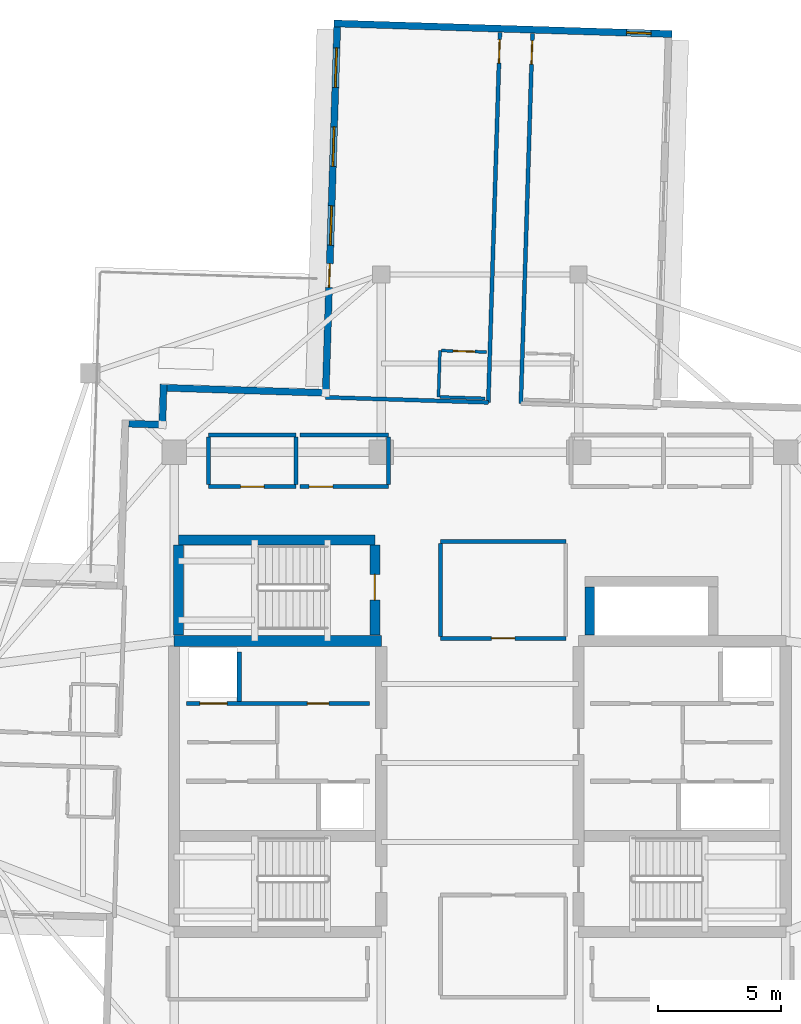
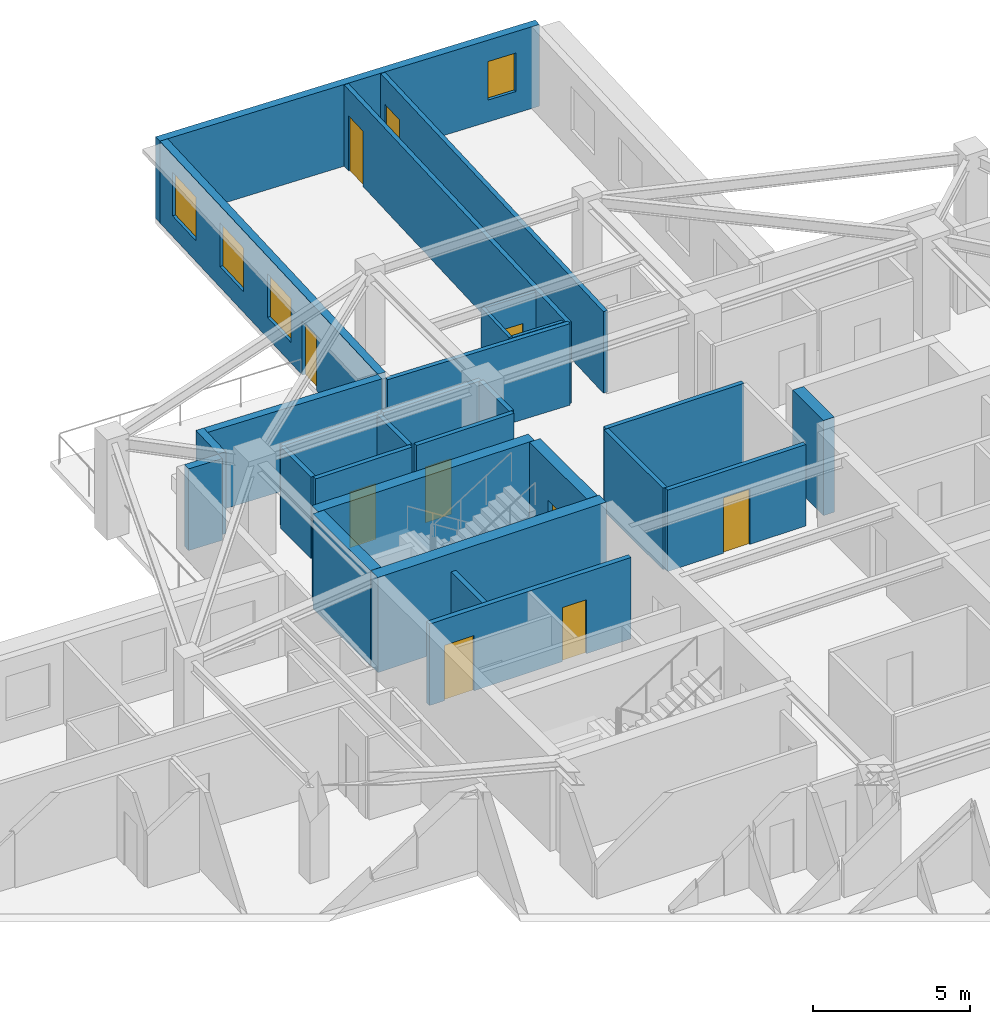
# One storey, part 7 of 13: 28 walls, 10 doors, 4 windows, 14 openings.
"""IFC4 building model written with IfcOpenShell, lengths in metres."""

from ifc_helpers import new_model, si_unit, direction, frame, frame_2d, origin, place, context, subcontext, project, spatial, rectangle, extrude, material, layer, layer_set, type_object, element, fill, save


model = new_model("IFC4")

# Units and contexts
model_context = context("Model", 3, precision=1e-05, world=origin(), true_north=direction((0.0, 1.0)))
body_context = subcontext(model_context, "Body", "Model", "MODEL_VIEW")
ifc_project = project(units=[si_unit("LENGTHUNIT", "METRE"), si_unit("AREAUNIT", "SQUARE_METRE"), si_unit("VOLUMEUNIT", "CUBIC_METRE"), si_unit("PLANEANGLEUNIT", "RADIAN"), si_unit("MASSUNIT", "GRAM", prefix="KILO")], contexts=[model_context])

# Site, building, storey
site_placement = place(None, origin())
site = spatial("IfcSite", under=ifc_project, at=site_placement, CompositionType="ELEMENT")
building_placement = place(site_placement, origin())
building = spatial("IfcBuilding", under=site, at=building_placement, Name="Qingluan Cross Belvedere", CompositionType="ELEMENT")
storey_placement = place(building_placement, frame((0.0, 0.0, 257.699951171875)))
storey = spatial("IfcBuildingStorey", under=building, at=storey_placement, Name="L64", CompositionType="ELEMENT", Elevation=257.699951171875)

# Walls
ifc_material_1 = material(Name="Concrete C50", Category="concrete")
ifc_layer_1 = layer(ifc_material_1, 0.449951171875, Name="CoreShearWall_450")
ifc_layer_set_1 = layer_set([ifc_layer_1], Name="Concrete C50")
wall_type_1 = type_object("IfcWallType", Name="CoreShearWall_450", PredefinedType="SHEAR", material=ifc_layer_set_1)
wall_1_placement = place(storey_placement, frame((-12.39990234375, 4.949951171875, 0.0), z_axis=(0.0, 0.0, 1.0), x_axis=(1.0, 0.0, 0.0)))
element("IfcWall", 1, at=wall_1_placement, inside=storey, type_object=wall_type_1, Name="Split core W shear wall L64-N", PredefinedType="SHEAR", context=body_context, shape_type="SweptSolid", body=[
    extrude(rectangle(XDim=8.39990234375, YDim=0.449951171875, at=frame_2d((4.199951171875, 0.0))), origin(), (0.0, 0.0, 1.0), 3.699951171875),
])
wall_2_placement = place(storey_placement, frame((-12.219970703125, 9.0400390625, 0.0), z_axis=(0.0, 0.0, 1.0), x_axis=(1.0, 0.0, 0.0)))
element("IfcWall", 2, at=wall_2_placement, inside=storey, type_object=wall_type_1, Name="Stair ST3 structural wall N L64", PredefinedType="SHEAR", context=body_context, shape_type="SweptSolid", body=[
    extrude(rectangle(XDim=7.9599609375, YDim=0.39990234375, at=frame_2d((3.97998046875, 0.0))), origin(), (0.0, 0.0, 1.0), 3.699951171875),
])
wall_3_placement = place(storey_placement, frame((-12.219970703125, 5.179931640625, 0.0), z_axis=(0.0, 0.0, 1.0), x_axis=(0.0, 1.0, 0.0)))
element("IfcWall", 3, at=wall_3_placement, inside=storey, type_object=wall_type_1, Name="Stair ST3 structural wall W L64", PredefinedType="SHEAR", context=body_context, shape_type="SweptSolid", body=[
    extrude(rectangle(XDim=3.655029296875, YDim=0.39990234375, at=frame_2d((1.82763671875, 0.0))), origin(), (0.0, 0.0, 1.0), 3.699951171875),
])

# Wall, opening, door
wall_4_placement = place(storey_placement, frame((-4.260009765625, 5.179931640625, 0.0), z_axis=(0.0, 0.0, 1.0), x_axis=(0.0, 1.0, 0.0)))
wall_4 = element("IfcWall", 4, at=wall_4_placement, inside=storey, type_object=wall_type_1, Name="Stair ST3 structural wall E L64", PredefinedType="SHEAR", context=body_context, shape_type="SweptSolid", body=[
    extrude(rectangle(XDim=3.655029296875, YDim=0.39990234375, at=frame_2d((1.82763671875, 0.0))), origin(), (0.0, 0.0, 1.0), 3.699951171875),
])
opening_1_placement = place(wall_4_placement, frame((1.419921875, 0.0, 0.0)))
opening_1 = element("IfcOpeningElement", 5, at=opening_1_placement, cuts=wall_4, Name="Opening FD-B11", PredefinedType="OPENING", context=body_context, shape_type="SweptSolid", body=[
    extrude(rectangle(XDim=1.050048828125, YDim=2.14990234375, at=frame_2d((0.52490234375, 1.074951171875))), frame((0.0, 0.2099609375, 0.0), z_axis=(0.0, -1.0, 0.0), x_axis=(1.0, 0.0, 0.0)), (0.0, 0.0, 1.0), 0.419921875),
])
ifc_material_2 = material(Name="Steel Class B smoke-seal fire door", Category="steel")
door_type_1 = type_object("IfcDoorType", Name="StairLobbyFireDoor_FDB", OperationType="NOTDEFINED", PredefinedType="DOOR", material=ifc_material_2)
door_1_placement = place(opening_1_placement, origin())
door_1 = element("IfcDoor", 6, at=door_1_placement, inside=storey, type_object=door_type_1, Name="Smoke-proof stair ST3 fire door L64", OperationType="SINGLE_SWING_RIGHT", OverallHeight=2.14990234375, OverallWidth=1.050048828125, PredefinedType="DOOR", context=body_context, shape_type="SweptSolid", body=[
    extrude(rectangle(XDim=1.050048828125, YDim=2.14990234375, at=frame_2d((0.52490234375, 1.074951171875))), frame((0.0, 0.02490234375, 0.0), z_axis=(0.0, -1.0, 0.0), x_axis=(1.0, 0.0, 0.0)), (0.0, 0.0, 1.0), 0.050048828125),
])
fill(opening_1, door_1)

# Wall
wall_5_placement = place(storey_placement, frame((4.449951171875, 5.179931640625, 0.0), z_axis=(0.0, 0.0, 1.0), x_axis=(0.0, 1.0, 0.0)))
element("IfcWall", 7, at=wall_5_placement, inside=storey, type_object=wall_type_1, Name="Express shuttle core wall L64-W", PredefinedType="SHEAR", context=body_context, shape_type="SweptSolid", body=[
    extrude(rectangle(XDim=1.9599609375, YDim=0.39990234375, at=frame_2d((0.97998046875, 0.0))), origin(), (0.0, 0.0, 1.0), 3.699951171875),
])

# Wall, opening, door
ifc_material_3 = material(Name="Gypsum plasterboard on steel stud acoustic partition", Category="steel")
ifc_layer_2 = layer(ifc_material_3, 0.159912109375, Name="CorridorPartition_160")
ifc_layer_set_2 = layer_set([ifc_layer_2], Name="Gypsum plasterboard on steel stud acoustic partition")
wall_type_2 = type_object("IfcWallType", Name="CorridorPartition_160", PredefinedType="PARTITIONING", material=ifc_layer_set_2)
wall_6_placement = place(storey_placement, frame((-11.0, 11.199951171875, 0.0), z_axis=(0.0, 0.0, 1.0), x_axis=(1.0, 0.0, 0.0)))
wall_6 = element("IfcWall", 8, at=wall_6_placement, inside=storey, type_object=wall_type_2, Name="Partition L64:q_nw1:S", PredefinedType="PARTITIONING", context=body_context, shape_type="SweptSolid", body=[
    extrude(rectangle(XDim=3.550048828125, YDim=0.159912109375, at=frame_2d((1.77490234375, 0.0))), origin(), (0.0, 0.0, 1.0), 3.170166015625),
])
opening_2_placement = place(wall_6_placement, frame((1.294921875, 0.0, 0.0)))
opening_2 = element("IfcOpeningElement", 9, at=opening_2_placement, cuts=wall_6, Name="Opening GD-10", PredefinedType="OPENING", context=body_context, shape_type="SweptSolid", body=[
    extrude(rectangle(XDim=0.9599609375, YDim=2.14990234375, at=frame_2d((0.47998046875, 1.074951171875))), frame((0.0, 0.08984375, 0.0), z_axis=(0.0, -1.0, 0.0), x_axis=(1.0, 0.0, 0.0)), (0.0, 0.0, 1.0), 0.179931640625),
])
ifc_material_4 = material(Name="Timber oak fire-rated acoustic guestroom door", Category="wood")
door_type_2 = type_object("IfcDoorType", Name="GuestEntryDoor_FD60", OperationType="NOTDEFINED", PredefinedType="DOOR", material=ifc_material_4)
door_2_placement = place(opening_2_placement, origin())
door_2 = element("IfcDoor", 10, at=door_2_placement, inside=storey, type_object=door_type_2, Name="Northwest sky parlor L64 door", OperationType="SINGLE_SWING_RIGHT", OverallHeight=2.14990234375, OverallWidth=0.9599609375, PredefinedType="DOOR", context=body_context, shape_type="SweptSolid", body=[
    extrude(rectangle(XDim=0.9599609375, YDim=2.14990234375, at=frame_2d((0.47998046875, 1.074951171875))), frame((0.0, 0.02490234375, 0.0), z_axis=(0.0, -1.0, 0.0), x_axis=(1.0, 0.0, 0.0)), (0.0, 0.0, 1.0), 0.050048828125),
])
fill(opening_2, door_2)

# Walls
wall_7_placement = place(storey_placement, frame((-11.0, 13.300048828125, 0.0), z_axis=(0.0, 0.0, 1.0), x_axis=(1.0, 0.0, 0.0)))
element("IfcWall", 11, at=wall_7_placement, inside=storey, type_object=wall_type_2, Name="Partition L64:q_nw1:N", PredefinedType="PARTITIONING", context=body_context, shape_type="SweptSolid", body=[
    extrude(rectangle(XDim=3.550048828125, YDim=0.159912109375, at=frame_2d((1.77490234375, 0.0))), origin(), (0.0, 0.0, 1.0), 3.170166015625),
])
for number, where, z_axis, x_axis, name in (
    (12, (-11.0, 11.284912109375, 0.0), (0.0, 0.0, 1.0), (0.0, 1.0, 0.0), "Partition L64:q_nw1:W"),
    (13, (-7.449951171875, 11.284912109375, 0.0), (0.0, 0.0, 1.0), (0.0, 1.0, 0.0), "Partition L64:q_nw1:E"),
):
    element("IfcWall", number, at=place(storey_placement, frame(where, z_axis=z_axis, x_axis=x_axis)), inside=storey, type_object=wall_type_2, Name=name, PredefinedType="PARTITIONING", context=body_context, shape_type="SweptSolid", body=[
        extrude(rectangle(XDim=1.93017578125, YDim=0.159912109375, at=frame_2d((0.965087890625, 0.0))), origin(), (0.0, 0.0, 1.0), 3.170166015625),
    ])

# Wall, opening, door
wall_8_placement = place(storey_placement, frame((-7.2900390625, 11.199951171875, 0.0), z_axis=(0.0, 0.0, 1.0), x_axis=(1.0, 0.0, 0.0)))
wall_8 = element("IfcWall", 14, at=wall_8_placement, inside=storey, type_object=wall_type_2, Name="Partition L64:q_nw2:S", PredefinedType="PARTITIONING", context=body_context, shape_type="SweptSolid", body=[
    extrude(rectangle(XDim=3.590087890625, YDim=0.159912109375, at=frame_2d((1.794921875, 0.0))), origin(), (0.0, 0.0, 1.0), 3.170166015625),
])
opening_3_placement = place(wall_8_placement, frame((0.364990234375, 0.0, 0.0)))
opening_3 = element("IfcOpeningElement", 15, at=opening_3_placement, cuts=wall_8, Name="Opening GD-10", PredefinedType="OPENING", context=body_context, shape_type="SweptSolid", body=[
    extrude(rectangle(XDim=0.9599609375, YDim=2.14990234375, at=frame_2d((0.47998046875, 1.074951171875))), frame((0.0, 0.08984375, 0.0), z_axis=(0.0, -1.0, 0.0), x_axis=(1.0, 0.0, 0.0)), (0.0, 0.0, 1.0), 0.179931640625),
])
door_3_placement = place(opening_3_placement, origin())
door_3 = element("IfcDoor", 16, at=door_3_placement, inside=storey, type_object=door_type_2, Name="Northwest study salon L64 door", OperationType="SINGLE_SWING_LEFT", OverallHeight=2.14990234375, OverallWidth=0.9599609375, PredefinedType="DOOR", context=body_context, shape_type="SweptSolid", body=[
    extrude(rectangle(XDim=0.9599609375, YDim=2.14990234375, at=frame_2d((0.47998046875, 1.074951171875))), frame((0.0, 0.02490234375, 0.0), z_axis=(0.0, -1.0, 0.0), x_axis=(1.0, 0.0, 0.0)), (0.0, 0.0, 1.0), 0.050048828125),
])
fill(opening_3, door_3)

# Walls
wall_9_placement = place(storey_placement, frame((-7.2900390625, 13.300048828125, 0.0), z_axis=(0.0, 0.0, 1.0), x_axis=(1.0, 0.0, 0.0)))
element("IfcWall", 17, at=wall_9_placement, inside=storey, type_object=wall_type_2, Name="Partition L64:q_nw2:N", PredefinedType="PARTITIONING", context=body_context, shape_type="SweptSolid", body=[
    extrude(rectangle(XDim=3.590087890625, YDim=0.159912109375, at=frame_2d((1.794921875, 0.0))), origin(), (0.0, 0.0, 1.0), 3.170166015625),
])
wall_10_placement = place(storey_placement, frame((-3.699951171875, 11.284912109375, 0.0), z_axis=(0.0, 0.0, 1.0), x_axis=(0.0, 1.0, 0.0)))
element("IfcWall", 18, at=wall_10_placement, inside=storey, type_object=wall_type_2, Name="Partition L64:q_nw2:E", PredefinedType="PARTITIONING", context=body_context, shape_type="SweptSolid", body=[
    extrude(rectangle(XDim=1.93017578125, YDim=0.159912109375, at=frame_2d((0.965087890625, 0.0))), origin(), (0.0, 0.0, 1.0), 3.170166015625),
])

# Wall, opening, door
wall_11_placement = place(storey_placement, frame((-1.60009765625, 5.050048828125, 0.0), z_axis=(0.0, 0.0, 1.0), x_axis=(1.0, 0.0, 0.0)))
wall_11 = element("IfcWall", 19, at=wall_11_placement, inside=storey, type_object=wall_type_2, Name="Partition L64:sky_tea_alcove:S", PredefinedType="PARTITIONING", context=body_context, shape_type="SweptSolid", body=[
    extrude(rectangle(XDim=5.080078125, YDim=0.159912109375, at=frame_2d((2.5400390625, 0.0))), origin(), (0.0, 0.0, 1.0), 3.170166015625),
])
opening_4_placement = place(wall_11_placement, frame((2.06005859375, 0.0, 0.0)))
opening_4 = element("IfcOpeningElement", 20, at=opening_4_placement, cuts=wall_11, Name="Opening GD-10", PredefinedType="OPENING", context=body_context, shape_type="SweptSolid", body=[
    extrude(rectangle(XDim=0.9599609375, YDim=2.14990234375, at=frame_2d((0.47998046875, 1.074951171875))), frame((0.0, 0.08984375, 0.0), z_axis=(0.0, -1.0, 0.0), x_axis=(1.0, 0.0, 0.0)), (0.0, 0.0, 1.0), 0.179931640625),
])
door_4_placement = place(opening_4_placement, origin())
door_4 = element("IfcDoor", 21, at=door_4_placement, inside=storey, type_object=door_type_2, Name="Sky horizon tea salon L64 door", OperationType="SINGLE_SWING_LEFT", OverallHeight=2.14990234375, OverallWidth=0.9599609375, PredefinedType="DOOR", context=body_context, shape_type="SweptSolid", body=[
    extrude(rectangle(XDim=0.9599609375, YDim=2.14990234375, at=frame_2d((0.47998046875, 1.074951171875))), frame((0.0, 0.02490234375, 0.0), z_axis=(0.0, -1.0, 0.0), x_axis=(1.0, 0.0, 0.0)), (0.0, 0.0, 1.0), 0.050048828125),
])
fill(opening_4, door_4)

# Walls
wall_12_placement = place(storey_placement, frame((-1.60009765625, 8.97998046875, 0.0), z_axis=(0.0, 0.0, 1.0), x_axis=(1.0, 0.0, 0.0)))
element("IfcWall", 22, at=wall_12_placement, inside=storey, type_object=wall_type_2, Name="Partition L64:sky_tea_alcove:N", PredefinedType="PARTITIONING", context=body_context, shape_type="SweptSolid", body=[
    extrude(rectangle(XDim=5.080078125, YDim=0.159912109375, at=frame_2d((2.5400390625, 0.0))), origin(), (0.0, 0.0, 1.0), 3.170166015625),
])
wall_13_placement = place(storey_placement, frame((-1.60009765625, 5.135009765625, 0.0), z_axis=(0.0, 0.0, 1.0), x_axis=(0.0, 1.0, 0.0)))
element("IfcWall", 23, at=wall_13_placement, inside=storey, type_object=wall_type_2, Name="Partition L64:sky_tea_alcove:W", PredefinedType="PARTITIONING", context=body_context, shape_type="SweptSolid", body=[
    extrude(rectangle(XDim=3.760009765625, YDim=0.159912109375, at=frame_2d((1.8798828125, 0.0))), origin(), (0.0, 0.0, 1.0), 3.170166015625),
])

# Wall, opening, door
wall_14_placement = place(storey_placement, frame((1.65869140625, 14.5751953125, 0.0), z_axis=(0.0, 0.0, 1.0), x_axis=(0.031404333983, 0.999506762262, 0.0)))
wall_14 = element("IfcWall", 24, at=wall_14_placement, inside=storey, type_object=wall_type_2, Name="Partition L64:N:c0", PredefinedType="PARTITIONING", context=body_context, shape_type="SweptSolid", body=[
    extrude(rectangle(XDim=15.01171875, YDim=0.159912109375, at=frame_2d((7.505859375, 0.0))), origin(), (0.0, 0.0, 1.0), 3.170166015625),
])
opening_5_placement = place(wall_14_placement, frame((13.760009765625, 0.0, 0.0)))
opening_5 = element("IfcOpeningElement", 25, at=opening_5_placement, cuts=wall_14, Name="Opening GD-10", PredefinedType="OPENING", context=body_context, shape_type="SweptSolid", body=[
    extrude(rectangle(XDim=0.9599609375, YDim=2.14990234375, at=frame_2d((0.47998046875, 1.074951171875))), frame((0.0, 0.08984375, 0.0), z_axis=(0.0, -1.0, 0.0), x_axis=(1.0, 0.0, 0.0)), (0.0, 0.0, 1.0), 0.179931640625),
])
door_5_placement = place(opening_5_placement, origin())
door_5 = element("IfcDoor", 26, at=door_5_placement, inside=storey, type_object=door_type_2, Name="Guest entry fire door 6409", OperationType="SINGLE_SWING_LEFT", OverallHeight=2.14990234375, OverallWidth=0.9599609375, PredefinedType="DOOR", context=body_context, shape_type="SweptSolid", body=[
    extrude(rectangle(XDim=0.9599609375, YDim=2.14990234375, at=frame_2d((0.47998046875, 1.074951171875))), frame((0.0, 0.02490234375, 0.0), z_axis=(0.0, -1.0, 0.0), x_axis=(1.0, 0.0, 0.0)), (0.0, 0.0, 1.0), 0.050048828125),
])
fill(opening_5, door_5)

wall_15_placement = place(storey_placement, frame((0.33935546875, 14.61669921875, 0.0), z_axis=(0.0, 0.0, 1.0), x_axis=(0.031404333983, 0.999506762262, 0.0)))
wall_15 = element("IfcWall", 27, at=wall_15_placement, inside=storey, type_object=wall_type_2, Name="Partition L64:N:c1", PredefinedType="PARTITIONING", context=body_context, shape_type="SweptSolid", body=[
    extrude(rectangle(XDim=15.01171875, YDim=0.159912109375, at=frame_2d((7.505859375, 0.0))), origin(), (0.0, 0.0, 1.0), 3.170166015625),
])
opening_6_placement = place(wall_15_placement, frame((13.760009765625, 0.0, 0.0)))
opening_6 = element("IfcOpeningElement", 28, at=opening_6_placement, cuts=wall_15, Name="Opening GD-10", PredefinedType="OPENING", context=body_context, shape_type="SweptSolid", body=[
    extrude(rectangle(XDim=0.9599609375, YDim=2.14990234375, at=frame_2d((0.47998046875, 1.074951171875))), frame((0.0, 0.08984375, 0.0), z_axis=(0.0, -1.0, 0.0), x_axis=(1.0, 0.0, 0.0)), (0.0, 0.0, 1.0), 0.179931640625),
])
door_6_placement = place(opening_6_placement, origin())
door_6 = element("IfcDoor", 29, at=door_6_placement, inside=storey, type_object=door_type_2, Name="Guest entry fire door 6410", OperationType="SINGLE_SWING_LEFT", OverallHeight=2.14990234375, OverallWidth=0.9599609375, PredefinedType="DOOR", context=body_context, shape_type="SweptSolid", body=[
    extrude(rectangle(XDim=0.9599609375, YDim=2.14990234375, at=frame_2d((0.47998046875, 1.074951171875))), frame((0.0, 0.02490234375, 0.0), z_axis=(0.0, -1.0, 0.0), x_axis=(1.0, 0.0, 0.0)), (0.0, 0.0, 1.0), 0.050048828125),
])
fill(opening_6, door_6)

# Wall
wall_16_placement = place(storey_placement, frame((0.33935546875, 14.61669921875, 0.0), z_axis=(0.0, 0.0, 1.0), x_axis=(-0.999506756764, 0.031404508956, 0.0)))
element("IfcWall", 30, at=wall_16_placement, inside=storey, type_object=wall_type_2, Name="Partition L64:N:s1", PredefinedType="PARTITIONING", context=body_context, shape_type="SweptSolid", body=[
    extrude(rectangle(XDim=6.60009765625, YDim=0.159912109375, at=frame_2d((3.300048828125, 0.0))), origin(), (0.0, 0.0, 1.0), 3.170166015625),
])

# Wall, opening, door
ifc_material_5 = material(Name="Moisture-resistant gypsum board lining")
ifc_layer_3 = layer(ifc_material_5, 0.1201171875, Name="EnsuiteWetPartition_120")
ifc_layer_set_3 = layer_set([ifc_layer_3], Name="Moisture-resistant gypsum board lining")
wall_type_3 = type_object("IfcWallType", Name="EnsuiteWetPartition_120", PredefinedType="PARTITIONING", material=ifc_layer_set_3)
wall_17_placement = place(storey_placement, frame((-1.5556640625, 16.717041015625, 0.0), z_axis=(0.0, 0.0, 1.0), x_axis=(0.999507221803, -0.031389704724, 0.0)))
wall_17 = element("IfcWall", 31, at=wall_17_placement, inside=storey, type_object=wall_type_3, Name="Partition L64:N:bs1_0", PredefinedType="PARTITIONING", context=body_context, shape_type="SweptSolid", body=[
    extrude(rectangle(XDim=1.820068359375, YDim=0.1201171875, at=frame_2d((0.91015625, 0.0))), origin(), (0.0, 0.0, 1.0), 3.170166015625),
])
opening_7_placement = place(wall_17_placement, frame((0.469970703125, 0.0, 0.0)))
opening_7 = element("IfcOpeningElement", 32, at=opening_7_placement, cuts=wall_17, Name="Opening BD-09", PredefinedType="OPENING", context=body_context, shape_type="SweptSolid", body=[
    extrude(rectangle(XDim=0.8798828125, YDim=2.10009765625, at=frame_2d((0.43994140625, 1.050048828125))), frame((0.0, 0.070068359375, 0.0), z_axis=(0.0, -1.0, 0.0), x_axis=(1.0, 0.0, 0.0)), (0.0, 0.0, 1.0), 0.14013671875),
])
ifc_material_6 = material(Name="Moisture-sealed timber en-suite door", Category="wood")
door_type_3 = type_object("IfcDoorType", Name="BathroomDoor_880", OperationType="NOTDEFINED", PredefinedType="DOOR", material=ifc_material_6)
door_7_placement = place(opening_7_placement, origin())
door_7 = element("IfcDoor", 33, at=door_7_placement, inside=storey, type_object=door_type_3, Name="Bathroom door 6410", OperationType="SINGLE_SWING_RIGHT", OverallHeight=2.10009765625, OverallWidth=0.8798828125, PredefinedType="DOOR", context=body_context, shape_type="SweptSolid", body=[
    extrude(rectangle(XDim=0.8798828125, YDim=2.10009765625, at=frame_2d((0.43994140625, 1.050048828125))), frame((0.0, 0.02490234375, 0.0), z_axis=(0.0, -1.0, 0.0), x_axis=(1.0, 0.0, 0.0)), (0.0, 0.0, 1.0), 0.050048828125),
])
fill(opening_7, door_7)

# Walls
wall_18_placement = place(storey_placement, frame((-1.61474609375, 14.837890625, 0.0), z_axis=(0.0, 0.0, 1.0), x_axis=(0.999511421504, -0.031255692016, 0.0)))
element("IfcWall", 34, at=wall_18_placement, inside=storey, type_object=wall_type_3, Name="Partition L64:N:bw1_0", PredefinedType="PARTITIONING", context=body_context, shape_type="SweptSolid", body=[
    extrude(rectangle(XDim=1.820068359375, YDim=0.1201171875, at=frame_2d((0.91015625, 0.0))), origin(), (0.0, 0.0, 1.0), 3.170166015625),
])
wall_19_placement = place(storey_placement, frame((-1.6796875, 14.840087890625, 0.0), z_axis=(0.0, 0.0, 1.0), x_axis=(0.031425292588, 0.999506103526, 0.0)))
element("IfcWall", 35, at=wall_19_placement, inside=storey, type_object=wall_type_3, Name="Partition L64:N:bc1_0", PredefinedType="PARTITIONING", context=body_context, shape_type="SweptSolid", body=[
    extrude(rectangle(XDim=1.880126953125, YDim=0.1201171875, at=frame_2d((0.93994140625, 0.0))), origin(), (0.0, 0.0, 1.0), 3.170166015625),
])

# Wall, openings, windows, door
ifc_material_7 = material(Name="Precast concrete C45", Category="concrete")
ifc_layer_4 = layer(ifc_material_7, 0.280029296875, Name="PrecastFacadeWall_280")
ifc_layer_set_4 = layer_set([ifc_layer_4], Name="Precast concrete C45")
wall_type_4 = type_object("IfcWallType", Name="PrecastFacadeWall_280", PredefinedType="STANDARD", material=ifc_layer_set_4)
wall_20_placement = place(storey_placement, frame((-5.78564453125, 29.83642578125, 0.0), z_axis=(0.0, 0.0, 1.0), x_axis=(-0.031406376864, -0.999506698073, 0.0)))
wall_20 = element("IfcWall", 36, at=wall_20_placement, inside=storey, type_object=wall_type_4, Name="Facade wall L64-NB", PredefinedType="STANDARD", context=body_context, shape_type="SweptSolid", body=[
    extrude(rectangle(XDim=14.699951171875, YDim=0.280029296875, at=frame_2d((7.35009765625, 0.0))), origin(), (0.0, 0.0, 1.0), 3.179931640625),
])
opening_8_placement = place(wall_20_placement, frame((0.85009765625, 0.0, 0.800048828125)))
opening_8 = element("IfcOpeningElement", 37, at=opening_8_placement, cuts=wall_20, Name="Opening W-04", PredefinedType="OPENING", context=body_context, shape_type="SweptSolid", body=[
    extrude(rectangle(XDim=1.60009765625, YDim=1.699951171875, at=frame_2d((0.800048828125, 0.85009765625))), frame((0.0, 0.14990234375, 0.0), z_axis=(0.0, -1.0, 0.0), x_axis=(1.0, 0.0, 0.0)), (0.0, 0.0, 1.0), 0.300048828125),
])
opening_9_placement = place(wall_20_placement, frame((4.050048828125, 0.0, 0.800048828125)))
opening_9 = element("IfcOpeningElement", 38, at=opening_9_placement, cuts=wall_20, Name="Opening W-04", PredefinedType="OPENING", context=body_context, shape_type="SweptSolid", body=[
    extrude(rectangle(XDim=1.60009765625, YDim=1.699951171875, at=frame_2d((0.800048828125, 0.85009765625))), frame((0.0, 0.14990234375, 0.0), z_axis=(0.0, -1.0, 0.0), x_axis=(1.0, 0.0, 0.0)), (0.0, 0.0, 1.0), 0.300048828125),
])
opening_10_placement = place(wall_20_placement, frame((7.25, 0.0, 0.800048828125)))
opening_10 = element("IfcOpeningElement", 39, at=opening_10_placement, cuts=wall_20, Name="Opening W-04", PredefinedType="OPENING", context=body_context, shape_type="SweptSolid", body=[
    extrude(rectangle(XDim=1.60009765625, YDim=1.699951171875, at=frame_2d((0.800048828125, 0.85009765625))), frame((0.0, 0.14990234375, 0.0), z_axis=(0.0, -1.0, 0.0), x_axis=(1.0, 0.0, 0.0)), (0.0, 0.0, 1.0), 0.300048828125),
])
opening_11_placement = place(wall_20_placement, frame((9.60009765625, 0.0, 0.0)))
opening_11 = element("IfcOpeningElement", 40, at=opening_11_placement, cuts=wall_20, Name="Opening WD-10", PredefinedType="OPENING", context=body_context, shape_type="SweptSolid", body=[
    extrude(rectangle(XDim=0.9599609375, YDim=2.10009765625, at=frame_2d((0.47998046875, 1.050048828125))), frame((0.0, 0.14990234375, 0.0), z_axis=(0.0, -1.0, 0.0), x_axis=(1.0, 0.0, 0.0)), (0.0, 0.0, 1.0), 0.300048828125),
])
ifc_material_8 = material(Name="Thermally broken triple Low-E glass in aluminium frame", Category="aluminium")
window_type_1 = type_object("IfcWindowType", Name="SuiteCornerWin_1600x1700", PartitioningType="SINGLE_PANEL", PredefinedType="WINDOW", material=ifc_material_8)
window_1_placement = place(opening_8_placement, origin())
window_1 = element("IfcWindow", 41, at=window_1_placement, inside=storey, type_object=window_type_1, Name="Ribbon window L64-NB-1", OverallHeight=1.699951171875, OverallWidth=1.60009765625, PartitioningType="SINGLE_PANEL", PredefinedType="WINDOW", context=body_context, shape_type="SweptSolid", body=[
    extrude(rectangle(XDim=1.60009765625, YDim=1.699951171875, at=frame_2d((0.800048828125, 0.85009765625))), frame((0.0, 0.030029296875, 0.0), z_axis=(0.0, -1.0, 0.0), x_axis=(1.0, 0.0, 0.0)), (0.0, 0.0, 1.0), 0.06005859375),
])
fill(opening_8, window_1)
window_2_placement = place(opening_9_placement, origin())
window_2 = element("IfcWindow", 42, at=window_2_placement, inside=storey, type_object=window_type_1, Name="Ribbon window L64-NB-2", OverallHeight=1.699951171875, OverallWidth=1.60009765625, PartitioningType="SINGLE_PANEL", PredefinedType="WINDOW", context=body_context, shape_type="SweptSolid", body=[
    extrude(rectangle(XDim=1.60009765625, YDim=1.699951171875, at=frame_2d((0.800048828125, 0.85009765625))), frame((0.0, 0.030029296875, 0.0), z_axis=(0.0, -1.0, 0.0), x_axis=(1.0, 0.0, 0.0)), (0.0, 0.0, 1.0), 0.06005859375),
])
fill(opening_9, window_2)
window_3_placement = place(opening_10_placement, origin())
window_3 = element("IfcWindow", 43, at=window_3_placement, inside=storey, type_object=window_type_1, Name="Ribbon window L64-NB-3", OverallHeight=1.699951171875, OverallWidth=1.60009765625, PartitioningType="SINGLE_PANEL", PredefinedType="WINDOW", context=body_context, shape_type="SweptSolid", body=[
    extrude(rectangle(XDim=1.60009765625, YDim=1.699951171875, at=frame_2d((0.800048828125, 0.85009765625))), frame((0.0, 0.030029296875, 0.0), z_axis=(0.0, -1.0, 0.0), x_axis=(1.0, 0.0, 0.0)), (0.0, 0.0, 1.0), 0.06005859375),
])
fill(opening_10, window_3)
ifc_material_9 = material(Name="Thermally broken aluminium and Low-E glass", Category="aluminium")
door_type_4 = type_object("IfcDoorType", Name="WinterGardenDoor_096", OperationType="NOTDEFINED", PredefinedType="DOOR", material=ifc_material_9)
door_8_placement = place(opening_11_placement, origin())
door_8 = element("IfcDoor", 44, at=door_8_placement, inside=storey, type_object=door_type_4, Name="Outdoor terrace access door L64-spi", OperationType="SINGLE_SWING_LEFT", OverallHeight=2.10009765625, OverallWidth=0.9599609375, PredefinedType="DOOR", context=body_context, shape_type="SweptSolid", body=[
    extrude(rectangle(XDim=0.9599609375, YDim=2.10009765625, at=frame_2d((0.47998046875, 1.050048828125))), frame((0.0, 0.02490234375, 0.0), z_axis=(0.0, -1.0, 0.0), x_axis=(1.0, 0.0, 0.0)), (0.0, 0.0, 1.0), 0.050048828125),
])
fill(opening_11, door_8)

# Wall, opening, window
wall_21_placement = place(storey_placement, frame((7.7919921875, 29.5498046875, 0.0), z_axis=(0.0, 0.0, 1.0), x_axis=(-0.999506662003, 0.031407524763, 0.0)))
wall_21 = element("IfcWall", 45, at=wall_21_placement, inside=storey, type_object=wall_type_4, Name="Arm tip precast facade wall L64-N", PredefinedType="STANDARD", context=body_context, shape_type="SweptSolid", body=[
    extrude(rectangle(XDim=13.719970703125, YDim=0.280029296875, at=frame_2d((6.85986328125, 0.0))), origin(), (0.0, 0.0, 1.0), 3.179931640625),
])
opening_12_placement = place(wall_21_placement, frame((0.85009765625, 0.0, 0.85009765625)))
opening_12 = element("IfcOpeningElement", 46, at=opening_12_placement, cuts=wall_21, Name="Opening W-03", PredefinedType="OPENING", context=body_context, shape_type="SweptSolid", body=[
    extrude(rectangle(XDim=1.0, YDim=1.5, at=frame_2d((0.5, 0.75))), frame((0.0, 0.14990234375, 0.0), z_axis=(0.0, -1.0, 0.0), x_axis=(1.0, 0.0, 0.0)), (0.0, 0.0, 1.0), 0.300048828125),
])
ifc_material_10 = material(Name="Thermally broken triple Low-E glass in aluminium frame", Category="aluminium")
window_type_2 = type_object("IfcWindowType", Name="TriApexWin_1000x1500", PartitioningType="SINGLE_PANEL", PredefinedType="WINDOW", material=ifc_material_10)
window_4_placement = place(opening_12_placement, origin())
window_4 = element("IfcWindow", 47, at=window_4_placement, inside=storey, type_object=window_type_2, Name="Arm tip triangular window L64-N", OverallHeight=1.5, OverallWidth=1.0, PartitioningType="SINGLE_PANEL", PredefinedType="WINDOW", context=body_context, shape_type="SweptSolid", body=[
    extrude(rectangle(XDim=1.0, YDim=1.5, at=frame_2d((0.5, 0.75))), frame((0.0, 0.030029296875, 0.0), z_axis=(0.0, -1.0, 0.0), x_axis=(1.0, 0.0, 0.0)), (0.0, 0.0, 1.0), 0.06005859375),
])
fill(opening_12, window_4)

# Walls
wall_22_placement = place(storey_placement, frame((-14.235107421875, 13.75390625, 0.0), z_axis=(0.0, 0.0, 1.0), x_axis=(0.999506398264, -0.031415916822, 0.0)))
element("IfcWall", 48, at=wall_22_placement, inside=storey, type_object=wall_type_4, Name="Corner wall L64-NW2", PredefinedType="STANDARD", context=body_context, shape_type="SweptSolid", body=[
    extrude(rectangle(XDim=1.219970703125, YDim=0.280029296875, at=frame_2d((0.60986328125, 0.0))), origin(), (0.0, 0.0, 1.0), 3.179931640625),
])
wall_23_placement = place(storey_placement, frame((-12.871337890625, 13.85107421875, 0.0), z_axis=(0.0, 0.0, 1.0), x_axis=(0.031412596484, 0.999506502621, 0.0)))
element("IfcWall", 49, at=wall_23_placement, inside=storey, type_object=wall_type_4, Name="Corner wall L64-NW3", PredefinedType="STANDARD", context=body_context, shape_type="SweptSolid", body=[
    extrude(rectangle(XDim=1.5, YDim=0.280029296875, at=frame_2d((0.75, 0.0))), origin(), (0.0, 0.0, 1.0), 3.179931640625),
])
wall_24_placement = place(storey_placement, frame((-12.688720703125, 15.2060546875, 0.0), z_axis=(0.0, 0.0, 1.0), x_axis=(0.999507262922, -0.031388395416, 0.0)))
element("IfcWall", 50, at=wall_24_placement, inside=storey, type_object=wall_type_4, Name="Corner wall L64-NW4", PredefinedType="STANDARD", context=body_context, shape_type="SweptSolid", body=[
    extrude(rectangle(XDim=6.30029296875, YDim=0.280029296875, at=frame_2d((3.150146484375, 0.0))), origin(), (0.0, 0.0, 1.0), 3.179931640625),
])

# Wall, openings, doors
ifc_material_11 = material(Name="Concrete C40", Category="concrete")
ifc_layer_5 = layer(ifc_material_11, 0.219970703125, Name="ShaftEnclosureWall_250")
ifc_layer_set_5 = layer_set([ifc_layer_5], Name="Concrete C40")
wall_type_5 = type_object("IfcWallType", Name="ShaftEnclosureWall_250", PredefinedType="SOLIDWALL", material=ifc_layer_set_5)
wall_25_placement = place(storey_placement, frame((-11.89990234375, 2.409912109375, 0.0), z_axis=(0.0, 0.0, 1.0), x_axis=(1.0, 0.0, 0.0)))
wall_25 = element("IfcWall", 51, at=wall_25_placement, inside=storey, type_object=wall_type_5, Name="Core-W north hoistway wall L64", PredefinedType="SOLIDWALL", context=body_context, shape_type="SweptSolid", body=[
    extrude(rectangle(XDim=7.419921875, YDim=0.179931640625, at=frame_2d((3.7099609375, 0.0))), origin(), (0.0, 0.0, 1.0), 3.170166015625),
])
opening_13_placement = place(wall_25_placement, frame((0.550048828125, 0.0, 0.0)))
opening_13 = element("IfcOpeningElement", 52, at=opening_13_placement, cuts=wall_25, Name="Opening LD-11", PredefinedType="OPENING", context=body_context, shape_type="SweptSolid", body=[
    extrude(rectangle(XDim=1.10009765625, YDim=2.14990234375, at=frame_2d((0.550048828125, 1.074951171875))), frame((0.0, 0.099853515625, 0.0), z_axis=(0.0, -1.0, 0.0), x_axis=(1.0, 0.0, 0.0)), (0.0, 0.0, 1.0), 0.199951171875),
])
opening_14_placement = place(wall_25_placement, frame((4.89990234375, 0.0, 0.0)))
opening_14 = element("IfcOpeningElement", 53, at=opening_14_placement, cuts=wall_25, Name="Opening FD-B10", PredefinedType="OPENING", context=body_context, shape_type="SweptSolid", body=[
    extrude(rectangle(XDim=0.8798828125, YDim=2.10009765625, at=frame_2d((0.43994140625, 1.050048828125))), frame((0.0, 0.099853515625, 0.0), z_axis=(0.0, -1.0, 0.0), x_axis=(1.0, 0.0, 0.0)), (0.0, 0.0, 1.0), 0.199951171875),
])
ifc_material_12 = material(Name="Brushed stainless steel centre-opening lift landing door", Category="steel")
door_type_5 = type_object("IfcDoorType", Name="LiftLandingSlidingDoor_1100", OperationType="DOUBLE_DOOR_SLIDING", PredefinedType="DOOR", material=ifc_material_12)
door_9_placement = place(opening_13_placement, origin())
door_9 = element("IfcDoor", 54, at=door_9_placement, inside=storey, type_object=door_type_5, Name="Lift landing sliding door FL1 L64", OperationType="DOUBLE_DOOR_SLIDING", OverallHeight=2.14990234375, OverallWidth=1.10009765625, PredefinedType="DOOR", context=body_context, shape_type="SweptSolid", body=[
    extrude(rectangle(XDim=1.10009765625, YDim=2.14990234375, at=frame_2d((0.550048828125, 1.074951171875))), frame((0.0, 0.02490234375, 0.0), z_axis=(0.0, -1.0, 0.0), x_axis=(1.0, 0.0, 0.0)), (0.0, 0.0, 1.0), 0.050048828125),
])
fill(opening_13, door_9)
ifc_material_13 = material(Name="Steel Class B service fire door", Category="steel")
door_type_6 = type_object("IfcDoorType", Name="RiserServiceFireDoor_FDB", OperationType="NOTDEFINED", PredefinedType="DOOR", material=ifc_material_13)
door_10_placement = place(opening_14_placement, origin())
door_10 = element("IfcDoor", 55, at=door_10_placement, inside=storey, type_object=door_type_6, Name="Housekeeping supply room door W L64", OperationType="SINGLE_SWING_LEFT", OverallHeight=2.10009765625, OverallWidth=0.8798828125, PredefinedType="DOOR", context=body_context, shape_type="SweptSolid", body=[
    extrude(rectangle(XDim=0.8798828125, YDim=2.10009765625, at=frame_2d((0.43994140625, 1.050048828125))), frame((0.0, 0.02490234375, 0.0), z_axis=(0.0, -1.0, 0.0), x_axis=(1.0, 0.0, 0.0)), (0.0, 0.0, 1.0), 0.050048828125),
])
fill(opening_14, door_10)

# Wall
wall_26_placement = place(storey_placement, frame((-9.760009765625, 2.5, 0.0), z_axis=(0.0, 0.0, 1.0), x_axis=(0.0, 1.0, 0.0)))
element("IfcWall", 56, at=wall_26_placement, inside=storey, type_object=wall_type_5, Name="Hoistway enclosure divider FL1E L64", PredefinedType="SOLIDWALL", context=body_context, shape_type="SweptSolid", body=[
    extrude(rectangle(XDim=1.989990234375, YDim=0.179931640625, at=frame_2d((0.9951171875, 0.0))), origin(), (0.0, 0.0, 1.0), 3.170166015625),
])

save(model, "model.ifc")
